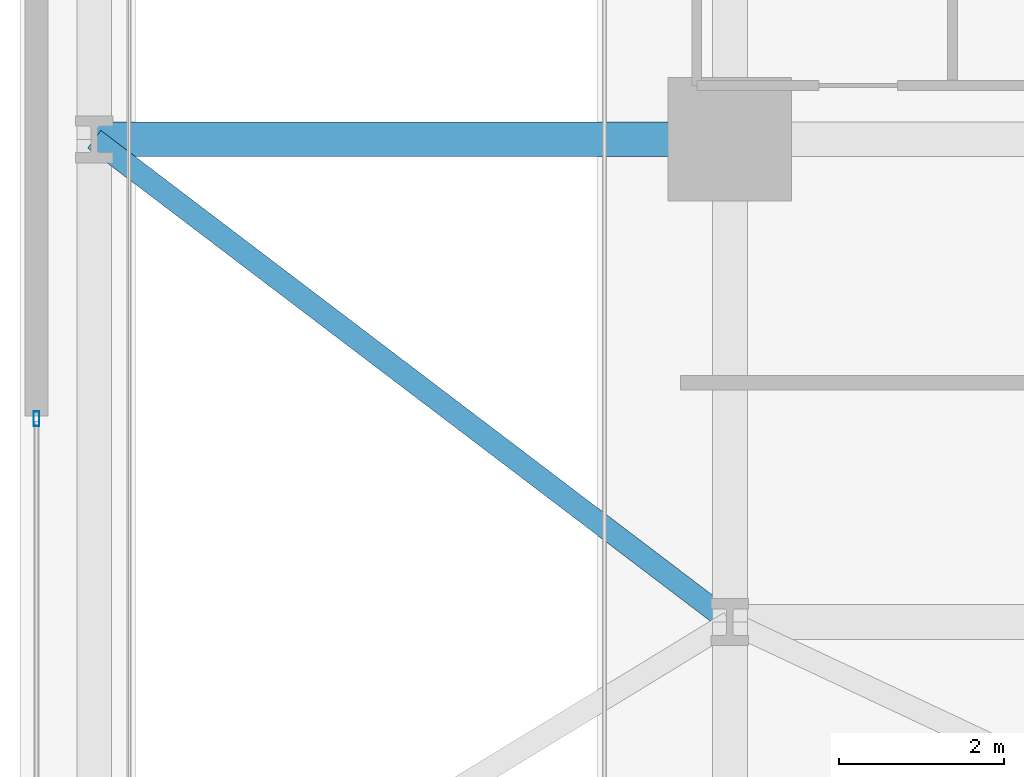
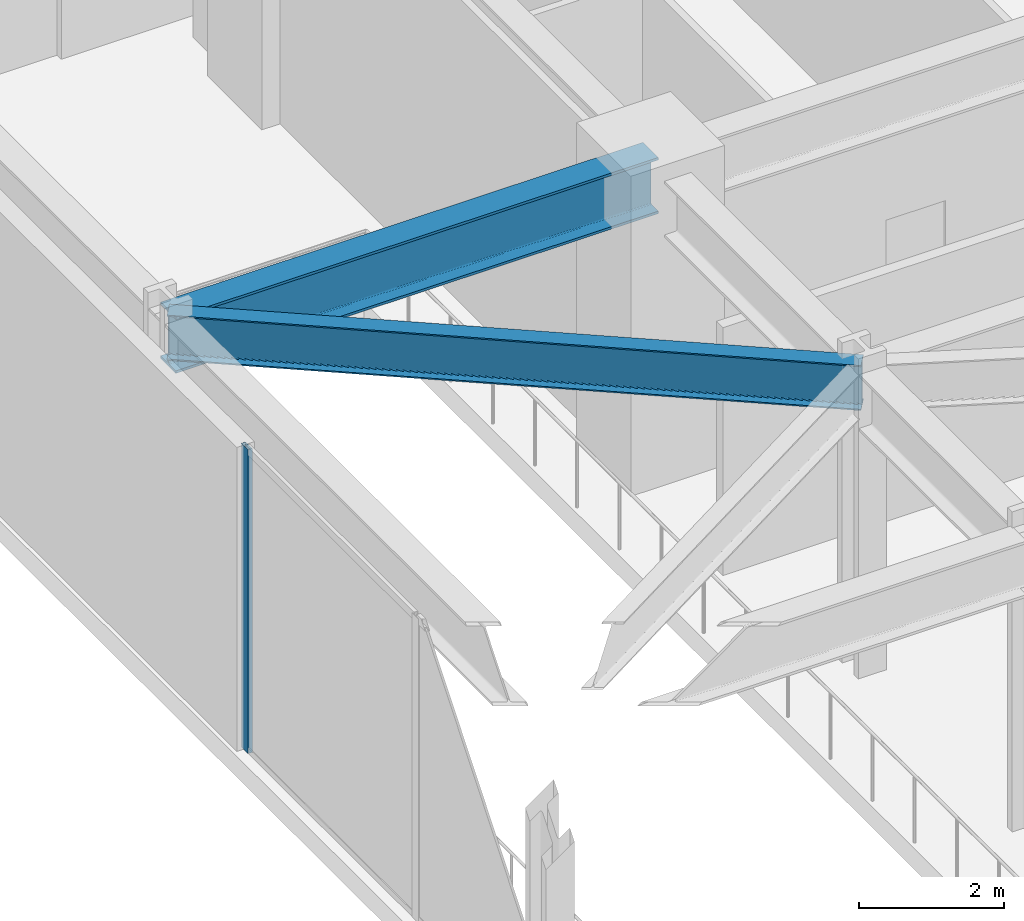
# One storey, part 18 of 31: 2 beams, 1 member, 1 element without a shape of its own.
"""IFC4 building model written with IfcOpenShell, lengths in metres."""

from ifc_helpers import new_model, si_unit, direction, frame, origin, origin_2d, place, context, subcontext, project, spatial, hollow_rectangle, i_section, extrude, material, layer, layer_set, material_profile, profile_set, type_object, element, aggregate, save


model = new_model("IFC4")

# Units and contexts
model_context = context("Model", 3, precision=1e-05, world=origin(), true_north=direction((0.0, 1.0)))
body_context = subcontext(model_context, "Body", "Model", "MODEL_VIEW")
ifc_project = project(units=[si_unit("LENGTHUNIT", "METRE"), si_unit("AREAUNIT", "SQUARE_METRE"), si_unit("VOLUMEUNIT", "CUBIC_METRE"), si_unit("PLANEANGLEUNIT", "RADIAN"), si_unit("MASSUNIT", "GRAM", prefix="KILO")], contexts=[model_context])

# Site, building, storey
site_placement = place(None, origin())
site = spatial("IfcSite", under=ifc_project, at=site_placement, CompositionType="ELEMENT")
building_placement = place(site_placement, origin())
building = spatial("IfcBuilding", under=site, at=building_placement, Name="Kravanh Interchange Tower", CompositionType="ELEMENT")
storey_placement = place(building_placement, origin())
storey = spatial("IfcBuildingStorey", under=building, at=storey_placement, Name="L00", CompositionType="ELEMENT", Elevation=0.0)

# Curtain wall, member
ifc_material_1 = material(Name="Anodised Bronze Aluminium", Category="aluminium")
ifc_layer = layer(ifc_material_1, 0.179931640625)
ifc_layer_set = layer_set([ifc_layer], Name="Unitised Curtain Wall System CW-POD Podium Concourse")
curtain_wall_type = type_object("IfcCurtainWallType", Name="Unitised Curtain Wall System CW-POD Podium Concourse", PredefinedType="NOTDEFINED", material=ifc_layer_set)
curtain_wall_placement = place(storey_placement, origin())
curtain_wall = element("IfcCurtainWall", 1, at=curtain_wall_placement, inside=storey, type_object=curtain_wall_type, Name="L00 Unitised Curtain Wall CW-L00-05", PredefinedType="NOTDEFINED")
ifc_material_2 = material(Name="Anodised Bronze Aluminium", Category="aluminium")
ifc_material_profile_1 = material_profile(ifc_material_2, hollow_rectangle(XDim=0.070068359375, YDim=0.179931640625, WallThickness=0.00390625, at=origin_2d()), Name="ALU70X180X4")
ifc_profile_set_1 = profile_set([ifc_material_profile_1], Name="Anodised Bronze Aluminium")
member_type = type_object("IfcMemberType", Name="Curtain Wall Mullion ALU70X180X4 Bronze", PredefinedType="MULLION", material=ifc_profile_set_1)
member_placement = place(storey_placement, frame((0.199951171875, 33.965087890625, 0.0), z_axis=(0.0, 0.0, 1.0), x_axis=(-1.0, 0.0, 0.0)))
member = element("IfcMember", 2, at=member_placement, type_object=member_type, Name="CW-POD mullion 5", PredefinedType="MULLION", context=body_context, shape_type="SweptSolid", body=[
    extrude(hollow_rectangle(XDim=0.070068359375, YDim=0.179931640625, WallThickness=0.00390625, at=origin_2d()), origin(), (0.0, 0.0, 1.0), 5.1298828125),
])
aggregate(curtain_wall, [member])

# Beams
ifc_material_3 = material(Name="Structural Steel S450", Category="steel")
ifc_material_profile_2 = material_profile(ifc_material_3, i_section(OverallWidth=0.423095703125, OverallDepth=0.947998046875, WebThickness=0.02392578125, FlangeThickness=0.042724609375, FilletRadius=0.028076171875, at=origin_2d()), Name="W36X302")
ifc_profile_set_2 = profile_set([ifc_material_profile_2], Name="Structural Steel S450")
beam_type_1 = type_object("IfcBeamType", Name="Floor Beam W36X302 Structural Steel S450", PredefinedType="BEAM", material=ifc_profile_set_2)
beam_1_placement = place(storey_placement, frame((0.89990234375, 37.35009765625, 4.656005859375), z_axis=(1.0, 0.0, 0.0), x_axis=(0.0, 1.0, 0.0)))
element("IfcBeam", 3, at=beam_1_placement, inside=storey, type_object=beam_type_1, Name="L00 Primary Floor Girder 125", PredefinedType="BEAM", context=body_context, shape_type="SweptSolid", body=[
    extrude(i_section(OverallWidth=0.423095703125, OverallDepth=0.947998046875, WebThickness=0.02392578125, FlangeThickness=0.042724609375, FilletRadius=0.028076171875, at=origin_2d()), origin(), (0.0, 0.0, 1.0), 7.7001953125),
])
ifc_material_4 = material(Name="Structural Steel S355", Category="steel")
ifc_material_profile_3 = material_profile(ifc_material_4, i_section(OverallWidth=0.26708984375, OverallDepth=0.761962890625, WebThickness=0.014404296875, FlangeThickness=0.021484375, FilletRadius=0.02490234375, at=origin_2d()), Name="W30X116")
ifc_profile_set_3 = profile_set([ifc_material_profile_3], Name="Structural Steel S355")
beam_type_2 = type_object("IfcBeamType", Name="Floor Spandrel W30X116 Structural Steel S355", PredefinedType="SPANDREL", material=ifc_profile_set_3)
beam_2_placement = place(storey_placement, frame((8.60009765625, 31.5, 4.7490234375), z_axis=(-0.796264345287, 0.604948834552, 0.0), x_axis=(-0.604948834552, -0.796264345287, 0.0)))
element("IfcBeam", 4, at=beam_2_placement, inside=storey, type_object=beam_type_2, Name="L00 Perimeter Spandrel 106", PredefinedType="SPANDREL", context=body_context, shape_type="SweptSolid", body=[
    extrude(i_section(OverallWidth=0.26708984375, OverallDepth=0.761962890625, WebThickness=0.014404296875, FlangeThickness=0.021484375, FilletRadius=0.02490234375, at=origin_2d()), origin(), (0.0, 0.0, 1.0), 9.67041015625),
])

save(model, "model.ifc")
